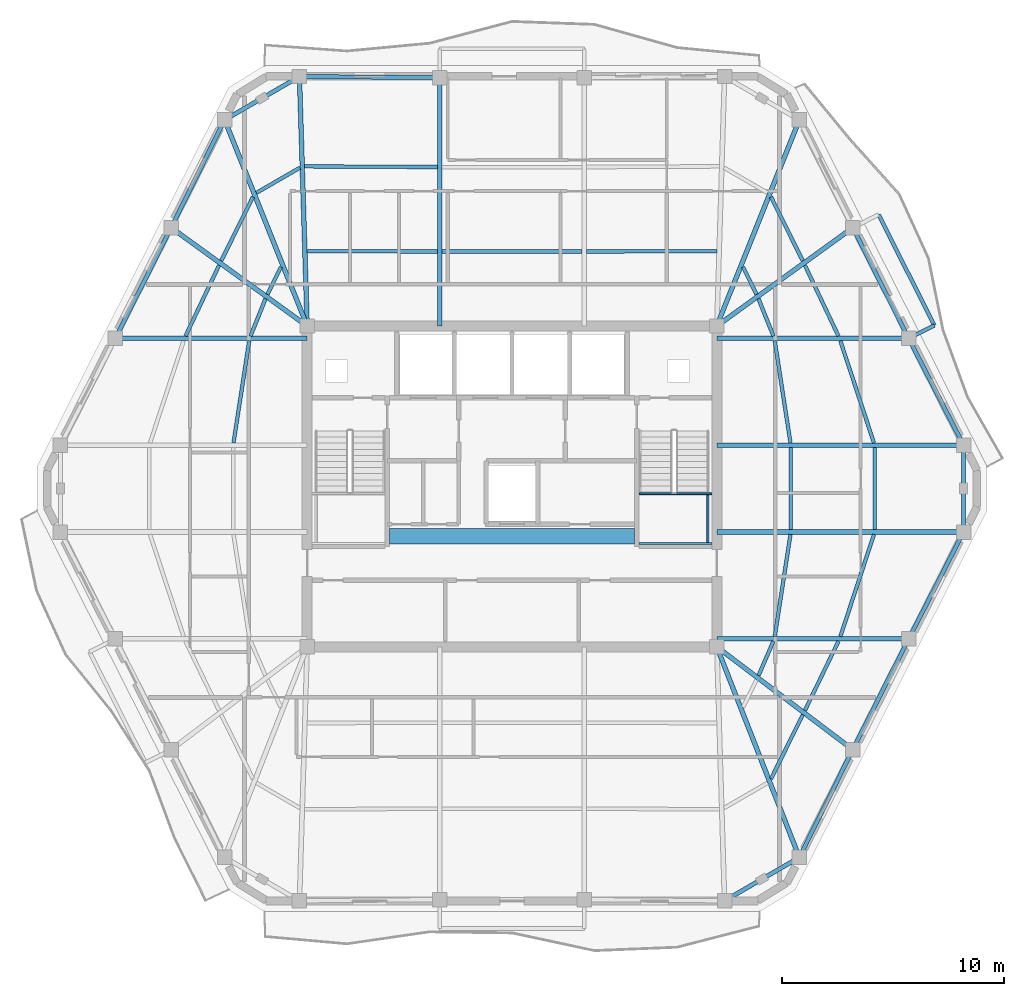
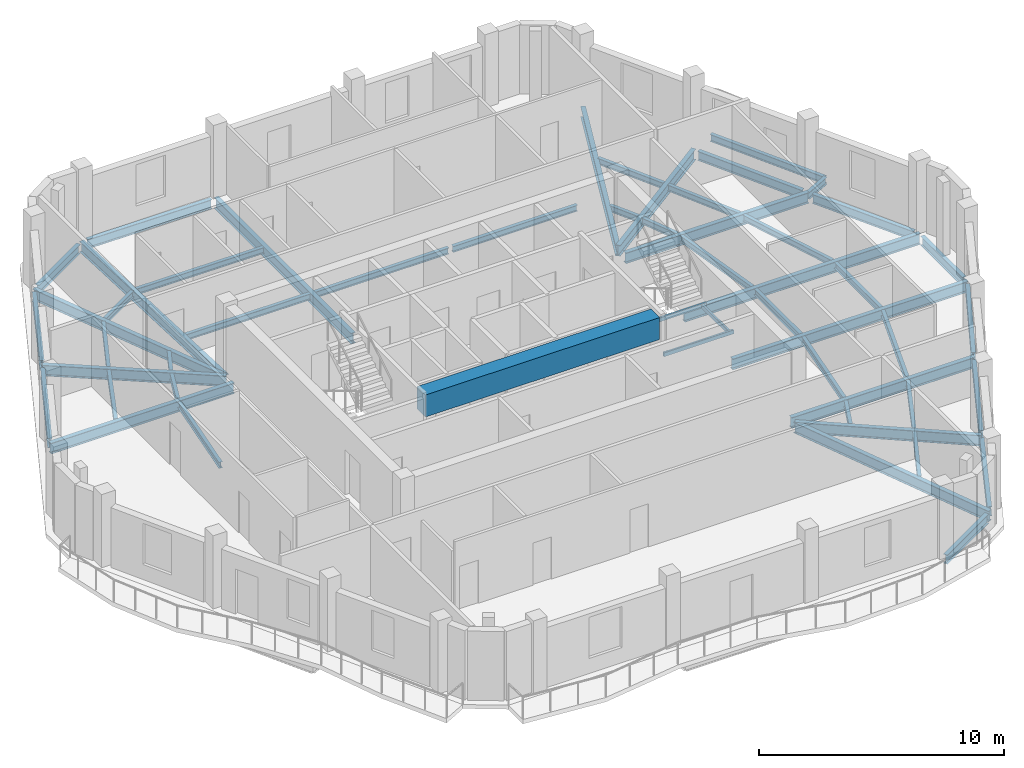
# One storey, part 2 of 10: 53 beams.
"""IFC4 building model written with IfcOpenShell, lengths in metres."""

from ifc_helpers import new_model, si_unit, direction, frame, origin, origin_2d, place, context, subcontext, project, spatial, rectangle, hollow_rectangle, i_section, extrude, material, material_profile, profile_set, type_object, element, save


model = new_model("IFC4")

# Units and contexts
model_context = context("Model", 3, precision=1e-05, world=origin(), true_north=direction((0.0, 1.0)))
body_context = subcontext(model_context, "Body", "Model", "MODEL_VIEW")
ifc_project = project(units=[si_unit("LENGTHUNIT", "METRE"), si_unit("AREAUNIT", "SQUARE_METRE"), si_unit("VOLUMEUNIT", "CUBIC_METRE"), si_unit("PLANEANGLEUNIT", "RADIAN"), si_unit("MASSUNIT", "GRAM", prefix="KILO")], contexts=[model_context])

# Site, building, storey
site_placement = place(None, origin())
site = spatial("IfcSite", under=ifc_project, at=site_placement, CompositionType="ELEMENT")
building_placement = place(site_placement, origin())
building = spatial("IfcBuilding", under=site, at=building_placement, Name="Cinnabar Lancet Tower", CompositionType="ELEMENT")
storey_placement = place(building_placement, frame((0.0, 0.0, 263.5)))
storey = spatial("IfcBuildingStorey", under=building, at=storey_placement, Name="L70", CompositionType="ELEMENT", Elevation=263.5)

# Beams
ifc_material_1 = material(Name="Concrete C70/85", Category="concrete")
ifc_material_profile_1 = material_profile(ifc_material_1, rectangle(XDim=0.699951171875, YDim=1.10009765625, at=origin_2d()), Name="RC-CB 700x1100")
ifc_profile_set_1 = profile_set([ifc_material_profile_1], Name="Concrete C70/85")
beam_type_1 = type_object("IfcBeamType", Name="STR-BM-CB-1100", PredefinedType="BEAM", material=ifc_profile_set_1)
beam_1_placement = place(storey_placement, frame((26.8798828125, 23.64990234375, 2.89990234375), z_axis=(1.0, 0.0, 0.0), x_axis=(0.0, 1.0, 0.0)))
element("IfcBeam", 1, at=beam_1_placement, inside=storey, type_object=beam_type_1, Name="L70 Core Coupling Beam", PredefinedType="BEAM", context=body_context, shape_type="SweptSolid", body=[
    extrude(rectangle(XDim=0.699951171875, YDim=1.10009765625, at=origin_2d()), origin(), (0.0, 0.0, 1.0), 11.0400390625),
])
ifc_material_2 = material(Name="Structural steel S355", Category="steel")
ifc_material_profile_2 = material_profile(ifc_material_2, i_section(OverallWidth=0.1650390625, OverallDepth=0.303466796875, WebThickness=0.006103515625, FlangeThickness=0.01025390625, FilletRadius=0.0087890625, at=origin_2d()), Name="UKB 305x165x40")
ifc_profile_set_2 = profile_set([ifc_material_profile_2], Name="Structural steel S355")
beam_type_2 = type_object("IfcBeamType", Name="STR-BM-JST-305", PredefinedType="JOIST", material=ifc_profile_set_2)
beam_2_placement = place(storey_placement, frame((44.06591796875, 12.73193359375, -0.35205078125), z_axis=(0.444391284604, 0.895832789179, 0.0), x_axis=(-0.895832789179, 0.444391284604, 0.0)))
element("IfcBeam", 2, at=beam_2_placement, inside=storey, type_object=beam_type_2, Name="L70 Secondary Floor Joist 15", PredefinedType="JOIST", context=body_context, shape_type="SweptSolid", body=[
    extrude(i_section(OverallWidth=0.1650390625, OverallDepth=0.303466796875, WebThickness=0.006103515625, FlangeThickness=0.01025390625, FilletRadius=0.0087890625, at=origin_2d()), origin(), (0.0, 0.0, 1.0), 3.220458984375),
])
beam_3_placement = place(storey_placement, frame((45.591064453125, 15.80810546875, -0.35205078125), z_axis=(0.43610936109, 0.899893674369, 0.0), x_axis=(-0.899893674369, 0.43610936109, 0.0)))
element("IfcBeam", 3, at=beam_3_placement, inside=storey, type_object=beam_type_2, Name="L70 Secondary Floor Joist 17", PredefinedType="JOIST", context=body_context, shape_type="SweptSolid", body=[
    extrude(i_section(OverallWidth=0.1650390625, OverallDepth=0.303466796875, WebThickness=0.006103515625, FlangeThickness=0.01025390625, FilletRadius=0.0087890625, at=origin_2d()), origin(), (0.0, 0.0, 1.0), 3.467041015625),
])
beam_4_placement = place(storey_placement, frame((43.5048828125, 17.385009765625, -0.35205078125), z_axis=(0.396302440144, 0.91812002262, 0.0), x_axis=(-0.91812002262, 0.396302440144, 0.0)))
element("IfcBeam", 4, at=beam_4_placement, inside=storey, type_object=beam_type_2, Name="L70 Secondary Floor Joist 18", PredefinedType="JOIST", context=body_context, shape_type="SweptSolid", body=[
    extrude(i_section(OverallWidth=0.1650390625, OverallDepth=0.303466796875, WebThickness=0.006103515625, FlangeThickness=0.01025390625, FilletRadius=0.0087890625, at=origin_2d()), origin(), (0.0, 0.0, 1.0), 1.6806640625),
])
beam_5_placement = place(storey_placement, frame((47.18798828125, 19.137939453125, -0.35205078125), z_axis=(0.312491145371, 0.949920672512, 0.0), x_axis=(-0.949920672512, 0.312491145371, 0.0)))
element("IfcBeam", 5, at=beam_5_placement, inside=storey, type_object=beam_type_2, Name="L70 Secondary Floor Joist 19", PredefinedType="JOIST", context=body_context, shape_type="SweptSolid", body=[
    extrude(i_section(OverallWidth=0.1650390625, OverallDepth=0.303466796875, WebThickness=0.006103515625, FlangeThickness=0.01025390625, FilletRadius=0.0087890625, at=origin_2d()), origin(), (0.0, 0.0, 1.0), 4.8447265625),
])
beam_6_placement = place(storey_placement, frame((44.23291015625, 19.137939453125, -0.35205078125), z_axis=(0.152262059154, 0.988340156698, 0.0), x_axis=(-0.988340156698, 0.152262059154, 0.0)))
element("IfcBeam", 6, at=beam_6_placement, inside=storey, type_object=beam_type_2, Name="L70 Secondary Floor Joist 20", PredefinedType="JOIST", context=body_context, shape_type="SweptSolid", body=[
    extrude(i_section(OverallWidth=0.1650390625, OverallDepth=0.303466796875, WebThickness=0.006103515625, FlangeThickness=0.01025390625, FilletRadius=0.0087890625, at=origin_2d()), origin(), (0.0, 0.0, 1.0), 4.65625),
])
for number, where, z_axis, x_axis, name in (
    (7, (48.737060546875, 23.949951171875, -0.35205078125), (0.0, 1.0, 0.0), (-1.0, 0.0, 0.0), "L70 Secondary Floor Joist 21"),
    (8, (44.958984375, 23.949951171875, -0.35205078125), (0.0, 1.0, 0.0), (-1.0, 0.0, 0.0), "L70 Secondary Floor Joist 22"),
):
    element("IfcBeam", number, at=place(storey_placement, frame(where, z_axis=z_axis, x_axis=x_axis)), inside=storey, type_object=beam_type_2, Name=name, PredefinedType="JOIST", context=body_context, shape_type="SweptSolid", body=[
        extrude(i_section(OverallWidth=0.1650390625, OverallDepth=0.303466796875, WebThickness=0.006103515625, FlangeThickness=0.01025390625, FilletRadius=0.0087890625, at=origin_2d()), origin(), (0.0, 0.0, 1.0), 3.699951171875),
    ])
beam_7_placement = place(storey_placement, frame((48.701904296875, 27.860107421875, -0.35205078125), z_axis=(-0.312506104996, 0.94991575118, 0.0), x_axis=(-0.94991575118, -0.312506104996, 0.0)))
element("IfcBeam", 9, at=beam_7_placement, inside=storey, type_object=beam_type_2, Name="L70 Secondary Floor Joist 23", PredefinedType="JOIST", context=body_context, shape_type="SweptSolid", body=[
    extrude(i_section(OverallWidth=0.1650390625, OverallDepth=0.303466796875, WebThickness=0.006103515625, FlangeThickness=0.01025390625, FilletRadius=0.0087890625, at=origin_2d()), origin(), (0.0, 0.0, 1.0), 4.844482421875),
])
beam_8_placement = place(storey_placement, frame((44.94189453125, 27.860107421875, -0.35205078125), z_axis=(-0.152269949853, 0.988338941038, 0.0), x_axis=(-0.988338941038, -0.152269949853, 0.0)))
element("IfcBeam", 10, at=beam_8_placement, inside=storey, type_object=beam_type_2, Name="L70 Secondary Floor Joist 24", PredefinedType="JOIST", context=body_context, shape_type="SweptSolid", body=[
    extrude(i_section(OverallWidth=0.1650390625, OverallDepth=0.303466796875, WebThickness=0.006103515625, FlangeThickness=0.01025390625, FilletRadius=0.0087890625, at=origin_2d()), origin(), (0.0, 0.0, 1.0), 4.656005859375),
])
beam_9_placement = place(storey_placement, frame((47.10400390625, 32.672119140625, -0.35205078125), z_axis=(-0.428647868514, 0.903471640296, 0.0), x_axis=(-0.903471640296, -0.428647868514, 0.0)))
element("IfcBeam", 11, at=beam_9_placement, inside=storey, type_object=beam_type_2, Name="L70 Secondary Floor Joist 25", PredefinedType="JOIST", context=body_context, shape_type="SweptSolid", body=[
    extrude(i_section(OverallWidth=0.1650390625, OverallDepth=0.303466796875, WebThickness=0.006103515625, FlangeThickness=0.01025390625, FilletRadius=0.0087890625, at=origin_2d()), origin(), (0.0, 0.0, 1.0), 3.53173828125),
])
beam_10_placement = place(storey_placement, frame((44.175048828125, 32.672119140625, -0.35205078125), z_axis=(-0.37155332079, 0.928411616585, 0.0), x_axis=(-0.928411616585, -0.37155332079, 0.0)))
element("IfcBeam", 12, at=beam_10_placement, inside=storey, type_object=beam_type_2, Name="L70 Secondary Floor Joist 26", PredefinedType="JOIST", context=body_context, shape_type="SweptSolid", body=[
    extrude(i_section(OverallWidth=0.1650390625, OverallDepth=0.303466796875, WebThickness=0.006103515625, FlangeThickness=0.01025390625, FilletRadius=0.0087890625, at=origin_2d()), origin(), (0.0, 0.0, 1.0), 1.8115234375),
])
beam_11_placement = place(storey_placement, frame((45.4970703125, 36.054931640625, -0.35205078125), z_axis=(-0.44427059531, 0.895892648783, 0.0), x_axis=(-0.895892648783, -0.44427059531, 0.0)))
element("IfcBeam", 13, at=beam_11_placement, inside=storey, type_object=beam_type_2, Name="L70 Secondary Floor Joist 27", PredefinedType="JOIST", context=body_context, shape_type="SweptSolid", body=[
    extrude(i_section(OverallWidth=0.1650390625, OverallDepth=0.303466796875, WebThickness=0.006103515625, FlangeThickness=0.01025390625, FilletRadius=0.0087890625, at=origin_2d()), origin(), (0.0, 0.0, 1.0), 3.221435546875),
])
beam_12_placement = place(storey_placement, frame((43.4150390625, 34.549072265625, -0.35205078125), z_axis=(-0.444661746427, 0.895698571655, 0.0), x_axis=(-0.895698571655, -0.444661746427, 0.0)))
element("IfcBeam", 14, at=beam_12_placement, inside=storey, type_object=beam_type_2, Name="L70 Secondary Floor Joist 28", PredefinedType="JOIST", context=body_context, shape_type="SweptSolid", body=[
    extrude(i_section(OverallWidth=0.1650390625, OverallDepth=0.303466796875, WebThickness=0.006103515625, FlangeThickness=0.01025390625, FilletRadius=0.0087890625, at=origin_2d()), origin(), (0.0, 0.0, 1.0), 1.378662109375),
])
beam_13_placement = place(storey_placement, frame((41.6240234375, 36.49609375, -0.35205078125), z_axis=(-0.999996226008, -0.002747356738, 0.0), x_axis=(0.002747356738, -0.999996226008, 0.0)))
element("IfcBeam", 15, at=beam_13_placement, inside=storey, type_object=beam_type_2, Name="L70 Secondary Floor Joist 31", PredefinedType="JOIST", context=body_context, shape_type="SweptSolid", body=[
    extrude(i_section(OverallWidth=0.1650390625, OverallDepth=0.303466796875, WebThickness=0.006103515625, FlangeThickness=0.01025390625, FilletRadius=0.0087890625, at=origin_2d()), origin(), (0.0, 0.0, 1.0), 5.864990234375),
])
beam_14_placement = place(storey_placement, frame((35.549072265625, 36.47998046875, -0.35205078125), z_axis=(-1.0, 0.0, 0.0), x_axis=(0.0, -1.0, 0.0)))
element("IfcBeam", 16, at=beam_14_placement, inside=storey, type_object=beam_type_2, Name="L70 Secondary Floor Joist 33", PredefinedType="JOIST", context=body_context, shape_type="SweptSolid", body=[
    extrude(i_section(OverallWidth=0.1650390625, OverallDepth=0.303466796875, WebThickness=0.006103515625, FlangeThickness=0.01025390625, FilletRadius=0.0087890625, at=origin_2d()), origin(), (0.0, 0.0, 1.0), 6.298095703125),
])
beam_15_placement = place(storey_placement, frame((29.041015625, 40.282958984375, -0.35205078125), z_axis=(-0.999985712428, 0.005345553266, 0.0), x_axis=(-0.005345553266, -0.999985712428, 0.0)))
element("IfcBeam", 17, at=beam_15_placement, inside=storey, type_object=beam_type_2, Name="L70 Secondary Floor Joist 34", PredefinedType="JOIST", context=body_context, shape_type="SweptSolid", body=[
    extrude(i_section(OverallWidth=0.1650390625, OverallDepth=0.303466796875, WebThickness=0.006103515625, FlangeThickness=0.01025390625, FilletRadius=0.0087890625, at=origin_2d()), origin(), (0.0, 0.0, 1.0), 5.98291015625),
])
beam_16_placement = place(storey_placement, frame((29.041015625, 36.47998046875, -0.35205078125), z_axis=(-0.999996226008, 0.002747356738, 0.0), x_axis=(-0.002747356738, -0.999996226008, 0.0)))
element("IfcBeam", 18, at=beam_16_placement, inside=storey, type_object=beam_type_2, Name="L70 Secondary Floor Joist 35", PredefinedType="JOIST", context=body_context, shape_type="SweptSolid", body=[
    extrude(i_section(OverallWidth=0.1650390625, OverallDepth=0.303466796875, WebThickness=0.006103515625, FlangeThickness=0.01025390625, FilletRadius=0.0087890625, at=origin_2d()), origin(), (0.0, 0.0, 1.0), 5.864990234375),
])
beam_17_placement = place(storey_placement, frame((22.85009765625, 40.256103515625, -0.35205078125), z_axis=(-0.865426285481, -0.501036270542, 0.0), x_axis=(0.501036270542, -0.865426285481, 0.0)))
element("IfcBeam", 19, at=beam_17_placement, inside=storey, type_object=beam_type_2, Name="L70 Secondary Floor Joist 36", PredefinedType="JOIST", context=body_context, shape_type="SweptSolid", body=[
    extrude(i_section(OverallWidth=0.1650390625, OverallDepth=0.303466796875, WebThickness=0.006103515625, FlangeThickness=0.01025390625, FilletRadius=0.0087890625, at=origin_2d()), origin(), (0.0, 0.0, 1.0), 2.267333984375),
])
beam_18_placement = place(storey_placement, frame((20.73388671875, 38.94091796875, -0.35205078125), z_axis=(-0.444209762814, -0.89592281287, 0.0), x_axis=(0.89592281287, -0.444209762814, 0.0)))
element("IfcBeam", 20, at=beam_18_placement, inside=storey, type_object=beam_type_2, Name="L70 Secondary Floor Joist 37", PredefinedType="JOIST", context=body_context, shape_type="SweptSolid", body=[
    extrude(i_section(OverallWidth=0.1650390625, OverallDepth=0.303466796875, WebThickness=0.006103515625, FlangeThickness=0.01025390625, FilletRadius=0.0087890625, at=origin_2d()), origin(), (0.0, 0.0, 1.0), 3.22119140625),
])
beam_19_placement = place(storey_placement, frame((21.998046875, 35.783935546875, -0.35205078125), z_axis=(-0.444661746427, -0.895698571655, 0.0), x_axis=(0.895698571655, -0.444661746427, 0.0)))
element("IfcBeam", 21, at=beam_19_placement, inside=storey, type_object=beam_type_2, Name="L70 Secondary Floor Joist 38", PredefinedType="JOIST", context=body_context, shape_type="SweptSolid", body=[
    extrude(i_section(OverallWidth=0.1650390625, OverallDepth=0.303466796875, WebThickness=0.006103515625, FlangeThickness=0.01025390625, FilletRadius=0.0087890625, at=origin_2d()), origin(), (0.0, 0.0, 1.0), 1.378662109375),
])
beam_20_placement = place(storey_placement, frame((19.2099609375, 35.863037109375, -0.35205078125), z_axis=(-0.428647868514, -0.903471640296, 0.0), x_axis=(0.903471640296, -0.428647868514, 0.0)))
element("IfcBeam", 22, at=beam_20_placement, inside=storey, type_object=beam_type_2, Name="L70 Secondary Floor Joist 39", PredefinedType="JOIST", context=body_context, shape_type="SweptSolid", body=[
    extrude(i_section(OverallWidth=0.1650390625, OverallDepth=0.303466796875, WebThickness=0.006103515625, FlangeThickness=0.01025390625, FilletRadius=0.0087890625, at=origin_2d()), origin(), (0.0, 0.0, 1.0), 3.53173828125),
])
beam_21_placement = place(storey_placement, frame((21.298095703125, 34.35400390625, -0.35205078125), z_axis=(-0.37155332079, -0.928411616585, 0.0), x_axis=(0.928411616585, -0.37155332079, 0.0)))
element("IfcBeam", 23, at=beam_21_placement, inside=storey, type_object=beam_type_2, Name="L70 Secondary Floor Joist 40", PredefinedType="JOIST", context=body_context, shape_type="SweptSolid", body=[
    extrude(i_section(OverallWidth=0.1650390625, OverallDepth=0.303466796875, WebThickness=0.006103515625, FlangeThickness=0.01025390625, FilletRadius=0.0087890625, at=origin_2d()), origin(), (0.0, 0.0, 1.0), 1.8115234375),
])
beam_22_placement = place(storey_placement, frame((20.56689453125, 32.4619140625, -0.35205078125), z_axis=(-0.152269949853, -0.988338941038, 0.0), x_axis=(0.988338941038, -0.152269949853, 0.0)))
element("IfcBeam", 24, at=beam_22_placement, inside=storey, type_object=beam_type_2, Name="L70 Secondary Floor Joist 42", PredefinedType="JOIST", context=body_context, shape_type="SweptSolid", body=[
    extrude(i_section(OverallWidth=0.1650390625, OverallDepth=0.303466796875, WebThickness=0.006103515625, FlangeThickness=0.01025390625, FilletRadius=0.0087890625, at=origin_2d()), origin(), (0.0, 0.0, 1.0), 4.656005859375),
])
ifc_material_3 = material(Name="Structural steel S355", Category="steel")
ifc_material_profile_3 = material_profile(ifc_material_3, hollow_rectangle(XDim=0.10009765625, YDim=0.199951171875, WallThickness=0.008056640625, InnerFilletRadius=0.00390625, OuterFilletRadius=0.011962890625, at=origin_2d()), Name="RHS 200x100x8")
ifc_profile_set_3 = profile_set([ifc_material_profile_3], Name="Structural steel S355")
beam_type_3 = type_object("IfcBeamType", Name="STR-BM-LND-203", PredefinedType="BEAM", material=ifc_profile_set_3)
for number, where, z_axis, x_axis, name in (
    (25, (38.1201171875, 23.330078125, 1.52490234375), (1.0, 0.0, 0.0), (0.0, 1.0, 0.0), "L70 ST-2-L70 Landing Support Beam S"),
    (26, (38.1201171875, 25.570068359375, 1.52490234375), (1.0, 0.0, 0.0), (0.0, 1.0, 0.0), "L70 ST-2-L70 Landing Support Beam N"),
):
    element("IfcBeam", number, at=place(storey_placement, frame(where, z_axis=z_axis, x_axis=x_axis)), inside=storey, type_object=beam_type_3, Name=name, PredefinedType="BEAM", context=body_context, shape_type="SweptSolid", body=[
        extrude(hollow_rectangle(XDim=0.10009765625, YDim=0.199951171875, WallThickness=0.008056640625, InnerFilletRadius=0.00390625, OuterFilletRadius=0.011962890625, at=origin_2d()), origin(), (0.0, 0.0, 1.0), 3.27978515625),
    ])
beam_23_placement = place(storey_placement, frame((41.219970703125, 23.3798828125, 1.52490234375), z_axis=(0.0, 1.0, 0.0), x_axis=(-1.0, 0.0, 0.0)))
element("IfcBeam", 27, at=beam_23_placement, inside=storey, type_object=beam_type_3, Name="L70 ST-2-L70 Landing Side Trimmer Beam", PredefinedType="BEAM", context=body_context, shape_type="SweptSolid", body=[
    extrude(hollow_rectangle(XDim=0.10009765625, YDim=0.199951171875, WallThickness=0.008056640625, InnerFilletRadius=0.00390625, OuterFilletRadius=0.011962890625, at=origin_2d()), origin(), (0.0, 0.0, 1.0), 2.14013671875),
])
ifc_material_4 = material(Name="Structural steel S355", Category="steel")
ifc_material_profile_4 = material_profile(ifc_material_4, i_section(OverallWidth=0.1904296875, OverallDepth=0.45703125, WebThickness=0.009033203125, FlangeThickness=0.014404296875, FilletRadius=0.01025390625, at=origin_2d()), Name="UKB 457x191x74")
ifc_profile_set_4 = profile_set([ifc_material_profile_4], Name="Structural steel S355")
beam_type_4 = type_object("IfcBeamType", Name="STR-BM-SPN-457", PredefinedType="SPANDREL", material=ifc_profile_set_4)
beam_24_placement = place(storey_placement, frame((42.18798828125, 7.364013671875, -0.427978515625), z_axis=(0.865230894194, 0.50137361292, 0.0), x_axis=(-0.50137361292, 0.865230894194, 0.0)))
element("IfcBeam", 28, at=beam_24_placement, inside=storey, type_object=beam_type_4, Name="L70 Perimeter Spandrel 4", PredefinedType="SPANDREL", context=body_context, shape_type="SweptSolid", body=[
    extrude(i_section(OverallWidth=0.1904296875, OverallDepth=0.45703125, WebThickness=0.009033203125, FlangeThickness=0.014404296875, FilletRadius=0.01025390625, at=origin_2d()), origin(), (0.0, 0.0, 1.0), 3.39453125),
])
beam_25_placement = place(storey_placement, frame((45.451904296875, 9.4150390625, -0.427978515625), z_axis=(0.444372599207, 0.895842058107, 0.0), x_axis=(-0.895842058107, 0.444372599207, 0.0)))
element("IfcBeam", 29, at=beam_25_placement, inside=storey, type_object=beam_type_4, Name="L70 Perimeter Spandrel 5", PredefinedType="SPANDREL", context=body_context, shape_type="SweptSolid", body=[
    extrude(i_section(OverallWidth=0.1904296875, OverallDepth=0.45703125, WebThickness=0.009033203125, FlangeThickness=0.014404296875, FilletRadius=0.01025390625, at=origin_2d()), origin(), (0.0, 0.0, 1.0), 4.91943359375),
])
beam_26_placement = place(storey_placement, frame((47.862060546875, 14.26904296875, -0.427978515625), z_axis=(0.450091864122, 0.892982258419, 0.0), x_axis=(-0.892982258419, 0.450091864122, 0.0)))
element("IfcBeam", 30, at=beam_26_placement, inside=storey, type_object=beam_type_4, Name="L70 Perimeter Spandrel 6", PredefinedType="SPANDREL", context=body_context, shape_type="SweptSolid", body=[
    extrude(i_section(OverallWidth=0.1904296875, OverallDepth=0.45703125, WebThickness=0.009033203125, FlangeThickness=0.014404296875, FilletRadius=0.01025390625, at=origin_2d()), origin(), (0.0, 0.0, 1.0), 5.085205078125),
])
beam_27_placement = place(storey_placement, frame((50.3779296875, 19.2548828125, -0.427978515625), z_axis=(0.457127852293, 0.889400993174, 0.0), x_axis=(-0.889400993174, 0.457127852293, 0.0)))
element("IfcBeam", 31, at=beam_27_placement, inside=storey, type_object=beam_type_4, Name="L70 Perimeter Spandrel 7", PredefinedType="SPANDREL", context=body_context, shape_type="SweptSolid", body=[
    extrude(i_section(OverallWidth=0.1904296875, OverallDepth=0.45703125, WebThickness=0.009033203125, FlangeThickness=0.014404296875, FilletRadius=0.01025390625, at=origin_2d()), origin(), (0.0, 0.0, 1.0), 4.911376953125),
])
beam_28_placement = place(storey_placement, frame((52.737060546875, 24.094970703125, -0.427978515625), z_axis=(0.0, 1.0, 0.0), x_axis=(-1.0, 0.0, 0.0)))
element("IfcBeam", 32, at=beam_28_placement, inside=storey, type_object=beam_type_4, Name="L70 Perimeter Spandrel 8", PredefinedType="SPANDREL", context=body_context, shape_type="SweptSolid", body=[
    extrude(i_section(OverallWidth=0.1904296875, OverallDepth=0.45703125, WebThickness=0.009033203125, FlangeThickness=0.014404296875, FilletRadius=0.01025390625, at=origin_2d()), origin(), (0.0, 0.0, 1.0), 3.409912109375),
])
beam_29_placement = place(storey_placement, frame((52.623046875, 27.97705078125, -0.427978515625), z_axis=(-0.457148063427, 0.889390604912, 0.0), x_axis=(-0.889390604912, -0.457148063427, 0.0)))
element("IfcBeam", 33, at=beam_29_placement, inside=storey, type_object=beam_type_4, Name="L70 Perimeter Spandrel 9", PredefinedType="SPANDREL", context=body_context, shape_type="SweptSolid", body=[
    extrude(i_section(OverallWidth=0.1904296875, OverallDepth=0.45703125, WebThickness=0.009033203125, FlangeThickness=0.014404296875, FilletRadius=0.01025390625, at=origin_2d()), origin(), (0.0, 0.0, 1.0), 4.9111328125),
])
beam_30_placement = place(storey_placement, frame((50.15087890625, 32.7900390625, -0.427978515625), z_axis=(-0.450091864122, 0.892982258419, 0.0), x_axis=(-0.892982258419, -0.450091864122, 0.0)))
element("IfcBeam", 34, at=beam_30_placement, inside=storey, type_object=beam_type_4, Name="L70 Perimeter Spandrel 10", PredefinedType="SPANDREL", context=body_context, shape_type="SweptSolid", body=[
    extrude(i_section(OverallWidth=0.1904296875, OverallDepth=0.45703125, WebThickness=0.009033203125, FlangeThickness=0.014404296875, FilletRadius=0.01025390625, at=origin_2d()), origin(), (0.0, 0.0, 1.0), 5.085205078125),
])
beam_31_placement = place(storey_placement, frame((28.89599609375, 44.31005859375, -0.427978515625), z_axis=(-0.999964785419, 0.008392134492, 0.0), x_axis=(-0.008392134492, -0.999964785419, 0.0)))
element("IfcBeam", 35, at=beam_31_placement, inside=storey, type_object=beam_type_4, Name="L70 Perimeter Spandrel 15", PredefinedType="SPANDREL", context=body_context, shape_type="SweptSolid", body=[
    extrude(i_section(OverallWidth=0.1904296875, OverallDepth=0.45703125, WebThickness=0.009033203125, FlangeThickness=0.014404296875, FilletRadius=0.01025390625, at=origin_2d()), origin(), (0.0, 0.0, 1.0), 5.818359375),
])
beam_32_placement = place(storey_placement, frame((22.612060546875, 44.236083984375, -0.427978515625), z_axis=(-0.865199693264, -0.501427453153, 0.0), x_axis=(0.501427453153, -0.865199693264, 0.0)))
element("IfcBeam", 36, at=beam_32_placement, inside=storey, type_object=beam_type_4, Name="L70 Perimeter Spandrel 16", PredefinedType="SPANDREL", context=body_context, shape_type="SweptSolid", body=[
    extrude(i_section(OverallWidth=0.1904296875, OverallDepth=0.45703125, WebThickness=0.009033203125, FlangeThickness=0.014404296875, FilletRadius=0.01025390625, at=origin_2d()), origin(), (0.0, 0.0, 1.0), 3.39453125),
])
beam_33_placement = place(storey_placement, frame((19.347900390625, 42.18505859375, -0.427978515625), z_axis=(-0.44433276947, -0.895861814107, 0.0), x_axis=(0.895861814107, -0.44433276947, 0.0)))
element("IfcBeam", 37, at=beam_33_placement, inside=storey, type_object=beam_type_4, Name="L70 Perimeter Spandrel 17", PredefinedType="SPANDREL", context=body_context, shape_type="SweptSolid", body=[
    extrude(i_section(OverallWidth=0.1904296875, OverallDepth=0.45703125, WebThickness=0.009033203125, FlangeThickness=0.014404296875, FilletRadius=0.01025390625, at=origin_2d()), origin(), (0.0, 0.0, 1.0), 4.919189453125),
])
beam_34_placement = place(storey_placement, frame((16.93798828125, 37.3310546875, -0.427978515625), z_axis=(-0.450130146726, -0.892962961722, 0.0), x_axis=(0.892962961722, -0.450130146726, 0.0)))
element("IfcBeam", 38, at=beam_34_placement, inside=storey, type_object=beam_type_4, Name="L70 Perimeter Spandrel 18", PredefinedType="SPANDREL", context=body_context, shape_type="SweptSolid", body=[
    extrude(i_section(OverallWidth=0.1904296875, OverallDepth=0.45703125, WebThickness=0.009033203125, FlangeThickness=0.014404296875, FilletRadius=0.01025390625, at=origin_2d()), origin(), (0.0, 0.0, 1.0), 5.08544921875),
])
ifc_material_5 = material(Name="Structural steel S355", Category="steel")
ifc_material_profile_5 = material_profile(ifc_material_5, i_section(OverallWidth=0.209228515625, OverallDepth=0.533203125, WebThickness=0.010009765625, FlangeThickness=0.015625, FilletRadius=0.0126953125, at=origin_2d()), Name="UKB 533x210x92")
ifc_profile_set_5 = profile_set([ifc_material_profile_5], Name="Structural steel S355")
beam_type_5 = type_object("IfcBeamType", Name="STR-BM-UKB533-92", PredefinedType="BEAM", material=ifc_profile_set_5)
beam_35_placement = place(storey_placement, frame((47.7490234375, 14.0458984375, -0.467041015625), z_axis=(-0.797735075719, 0.603008083667, 0.0), x_axis=(-0.603008083667, -0.797735075719, 0.0)))
element("IfcBeam", 39, at=beam_35_placement, inside=storey, type_object=beam_type_5, Name="L70 Corner Collector Girder 2", PredefinedType="BEAM", context=body_context, shape_type="SweptSolid", body=[
    extrude(i_section(OverallWidth=0.209228515625, OverallDepth=0.533203125, WebThickness=0.010009765625, FlangeThickness=0.015625, FilletRadius=0.0126953125, at=origin_2d()), origin(), (0.0, 0.0, 1.0), 7.6767578125),
])
for number, where, z_axis, x_axis, name in (
    (40, (47.7490234375, 37.553955078125, -0.467041015625), (-0.810299148474, -0.586016458797, 0.0), (0.586016458797, -0.810299148474, 0.0), "L70 Corner Collector Girder 3"),
    (41, (17.051025390625, 37.553955078125, -0.467041015625), (0.810299148474, -0.586016458797, 0.0), (0.586016458797, 0.810299148474, 0.0), "L70 Corner Collector Girder 4"),
):
    element("IfcBeam", number, at=place(storey_placement, frame(where, z_axis=z_axis, x_axis=x_axis)), inside=storey, type_object=beam_type_5, Name=name, PredefinedType="BEAM", context=body_context, shape_type="SweptSolid", body=[
        extrude(i_section(OverallWidth=0.209228515625, OverallDepth=0.533203125, WebThickness=0.010009765625, FlangeThickness=0.015625, FilletRadius=0.0126953125, at=origin_2d()), origin(), (0.0, 0.0, 1.0), 7.5576171875),
    ])
beam_36_placement = place(storey_placement, frame((45.341064453125, 9.19091796875, -0.467041015625), z_axis=(-0.364815017375, 0.931080019707, 0.0), x_axis=(-0.931080019707, -0.364815017375, 0.0)))
element("IfcBeam", 42, at=beam_36_placement, inside=storey, type_object=beam_type_5, Name="L70 Primary Floor Girder 5", PredefinedType="BEAM", context=body_context, shape_type="SweptSolid", body=[
    extrude(i_section(OverallWidth=0.209228515625, OverallDepth=0.533203125, WebThickness=0.010009765625, FlangeThickness=0.015625, FilletRadius=0.0126953125, at=origin_2d()), origin(), (0.0, 0.0, 1.0), 10.186279296875),
])
beam_37_placement = place(storey_placement, frame((50.263916015625, 19.032958984375, -0.467041015625), z_axis=(-1.0, 0.0, 0.0), x_axis=(0.0, -1.0, 0.0)))
element("IfcBeam", 43, at=beam_37_placement, inside=storey, type_object=beam_type_5, Name="L70 Primary Floor Girder 7", PredefinedType="BEAM", context=body_context, shape_type="SweptSolid", body=[
    extrude(i_section(OverallWidth=0.209228515625, OverallDepth=0.533203125, WebThickness=0.010009765625, FlangeThickness=0.015625, FilletRadius=0.0126953125, at=origin_2d()), origin(), (0.0, 0.0, 1.0), 8.638916015625),
])
for number, where, z_axis, x_axis, name in (
    (44, (52.737060546875, 23.844970703125, -0.467041015625), (-1.0, 0.0, 0.0), (0.0, -1.0, 0.0), "L70 Primary Floor Girder 8"),
    (45, (52.737060546875, 27.7548828125, -0.467041015625), (-1.0, 0.0, 0.0), (0.0, -1.0, 0.0), "L70 Primary Floor Girder 9"),
):
    element("IfcBeam", number, at=place(storey_placement, frame(where, z_axis=z_axis, x_axis=x_axis)), inside=storey, type_object=beam_type_5, Name=name, PredefinedType="BEAM", context=body_context, shape_type="SweptSolid", body=[
        extrude(i_section(OverallWidth=0.209228515625, OverallDepth=0.533203125, WebThickness=0.010009765625, FlangeThickness=0.015625, FilletRadius=0.0126953125, at=origin_2d()), origin(), (0.0, 0.0, 1.0), 11.112060546875),
    ])
beam_38_placement = place(storey_placement, frame((50.263916015625, 32.56689453125, -0.467041015625), z_axis=(-1.0, 0.0, 0.0), x_axis=(0.0, -1.0, 0.0)))
element("IfcBeam", 46, at=beam_38_placement, inside=storey, type_object=beam_type_5, Name="L70 Primary Floor Girder 10", PredefinedType="BEAM", context=body_context, shape_type="SweptSolid", body=[
    extrude(i_section(OverallWidth=0.209228515625, OverallDepth=0.533203125, WebThickness=0.010009765625, FlangeThickness=0.015625, FilletRadius=0.0126953125, at=origin_2d()), origin(), (0.0, 0.0, 1.0), 8.638916015625),
])
beam_39_placement = place(storey_placement, frame((45.341064453125, 42.408935546875, -0.467041015625), z_axis=(-0.371605341166, -0.928390796172, 0.0), x_axis=(0.928390796172, -0.371605341166, 0.0)))
element("IfcBeam", 47, at=beam_39_placement, inside=storey, type_object=beam_type_5, Name="L70 Primary Floor Girder 12", PredefinedType="BEAM", context=body_context, shape_type="SweptSolid", body=[
    extrude(i_section(OverallWidth=0.209228515625, OverallDepth=0.533203125, WebThickness=0.010009765625, FlangeThickness=0.015625, FilletRadius=0.0126953125, at=origin_2d()), origin(), (0.0, 0.0, 1.0), 10.0),
])
beam_40_placement = place(storey_placement, frame((29.14599609375, 44.30810546875, -0.467041015625), z_axis=(0.0, -1.0, 0.0), x_axis=(1.0, 0.0, 0.0)))
element("IfcBeam", 48, at=beam_40_placement, inside=storey, type_object=beam_type_5, Name="L70 Primary Floor Girder 15", PredefinedType="BEAM", context=body_context, shape_type="SweptSolid", body=[
    extrude(i_section(OverallWidth=0.209228515625, OverallDepth=0.533203125, WebThickness=0.010009765625, FlangeThickness=0.015625, FilletRadius=0.0126953125, at=origin_2d()), origin(), (0.0, 0.0, 1.0), 11.18310546875),
])
beam_41_placement = place(storey_placement, frame((22.827880859375, 44.361083984375, -0.467041015625), z_axis=(0.030882856862, -0.999523010817, 0.0), x_axis=(0.999523010817, 0.030882856862, 0.0)))
element("IfcBeam", 49, at=beam_41_placement, inside=storey, type_object=beam_type_5, Name="L70 Primary Floor Girder 16", PredefinedType="BEAM", context=body_context, shape_type="SweptSolid", body=[
    extrude(i_section(OverallWidth=0.209228515625, OverallDepth=0.533203125, WebThickness=0.010009765625, FlangeThickness=0.015625, FilletRadius=0.0126953125, at=origin_2d()), origin(), (0.0, 0.0, 1.0), 11.241455078125),
])
beam_42_placement = place(storey_placement, frame((19.458984375, 42.408935546875, -0.467041015625), z_axis=(0.371605341166, -0.928390796172, 0.0), x_axis=(0.928390796172, 0.371605341166, 0.0)))
element("IfcBeam", 50, at=beam_42_placement, inside=storey, type_object=beam_type_5, Name="L70 Primary Floor Girder 17", PredefinedType="BEAM", context=body_context, shape_type="SweptSolid", body=[
    extrude(i_section(OverallWidth=0.209228515625, OverallDepth=0.533203125, WebThickness=0.010009765625, FlangeThickness=0.015625, FilletRadius=0.0126953125, at=origin_2d()), origin(), (0.0, 0.0, 1.0), 10.0),
])
beam_43_placement = place(storey_placement, frame((14.535888671875, 32.56689453125, -0.467041015625), z_axis=(1.0, 0.0, 0.0), x_axis=(0.0, 1.0, 0.0)))
element("IfcBeam", 51, at=beam_43_placement, inside=storey, type_object=beam_type_5, Name="L70 Primary Floor Girder 19", PredefinedType="BEAM", context=body_context, shape_type="SweptSolid", body=[
    extrude(i_section(OverallWidth=0.209228515625, OverallDepth=0.533203125, WebThickness=0.010009765625, FlangeThickness=0.015625, FilletRadius=0.0126953125, at=origin_2d()), origin(), (0.0, 0.0, 1.0), 8.63916015625),
])
ifc_material_6 = material(Name="Structural steel S355", Category="steel")
ifc_material_profile_6 = material_profile(ifc_material_6, i_section(OverallWidth=0.17138671875, OverallDepth=0.35498046875, WebThickness=0.00732421875, FlangeThickness=0.011474609375, FilletRadius=0.01025390625, at=origin_2d()), Name="UKB 356x171x51")
ifc_profile_set_6 = profile_set([ifc_material_profile_6], Name="Structural steel S355")
beam_type_6 = type_object("IfcBeamType", Name="STR-BM-WAV-OUT", PredefinedType="BEAM", material=ifc_profile_set_6)
beam_44_placement = place(storey_placement, frame((50.263916015625, 32.56689453125, -0.39794921875), z_axis=(0.892238560088, 0.451564338597, 0.0), x_axis=(-0.451564338597, 0.892238560088, 0.0)))
element("IfcBeam", 52, at=beam_44_placement, inside=storey, type_object=beam_type_6, Name="L70 Face 3 Balcony Outlooker A", PredefinedType="BEAM", context=body_context, shape_type="SweptSolid", body=[
    extrude(i_section(OverallWidth=0.17138671875, OverallDepth=0.35498046875, WebThickness=0.00732421875, FlangeThickness=0.011474609375, FilletRadius=0.01025390625, at=origin_2d()), origin(), (0.0, 0.0, 1.0), 1.30029296875),
])
ifc_material_7 = material(Name="Structural steel S355", Category="steel")
ifc_material_profile_7 = material_profile(ifc_material_7, i_section(OverallWidth=0.17138671875, OverallDepth=0.35498046875, WebThickness=0.00732421875, FlangeThickness=0.011474609375, FilletRadius=0.01025390625, at=origin_2d()), Name="UKB 356x171x51")
ifc_profile_set_7 = profile_set([ifc_material_profile_7], Name="Structural steel S355")
beam_type_7 = type_object("IfcBeamType", Name="STR-BM-WAV-TRIM", PredefinedType="SPANDREL", material=ifc_profile_set_7)
beam_45_placement = place(storey_placement, frame((51.424072265625, 33.154052734375, -0.39794921875), z_axis=(-0.450305622338, 0.892874485295, 0.0), x_axis=(-0.892874485295, -0.450305622338, 0.0)))
element("IfcBeam", 53, at=beam_45_placement, inside=storey, type_object=beam_type_7, Name="L70 Face 3 Balcony Edge Trimmer", PredefinedType="SPANDREL", context=body_context, shape_type="SweptSolid", body=[
    extrude(i_section(OverallWidth=0.17138671875, OverallDepth=0.35498046875, WebThickness=0.00732421875, FlangeThickness=0.011474609375, FilletRadius=0.01025390625, at=origin_2d()), origin(), (0.0, 0.0, 1.0), 5.58544921875),
])

save(model, "model.ifc")
